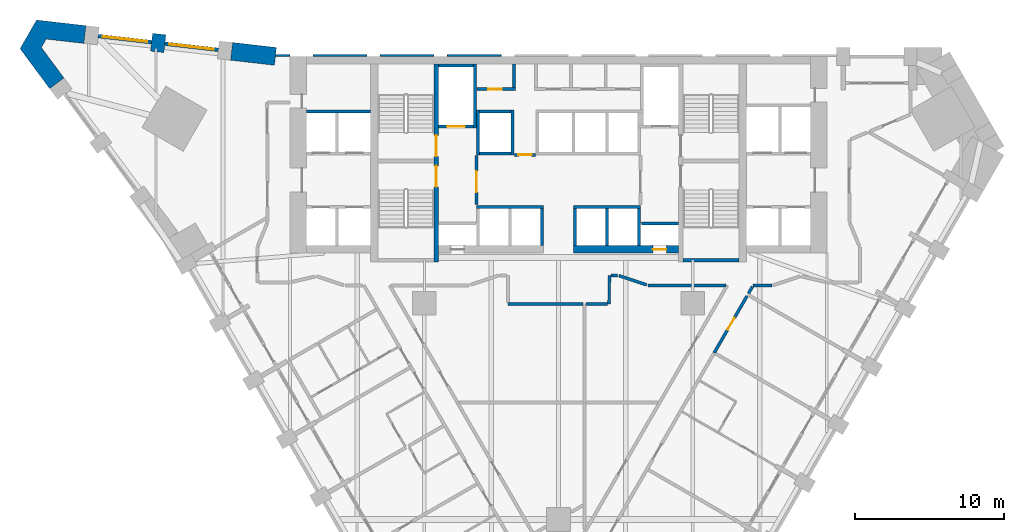
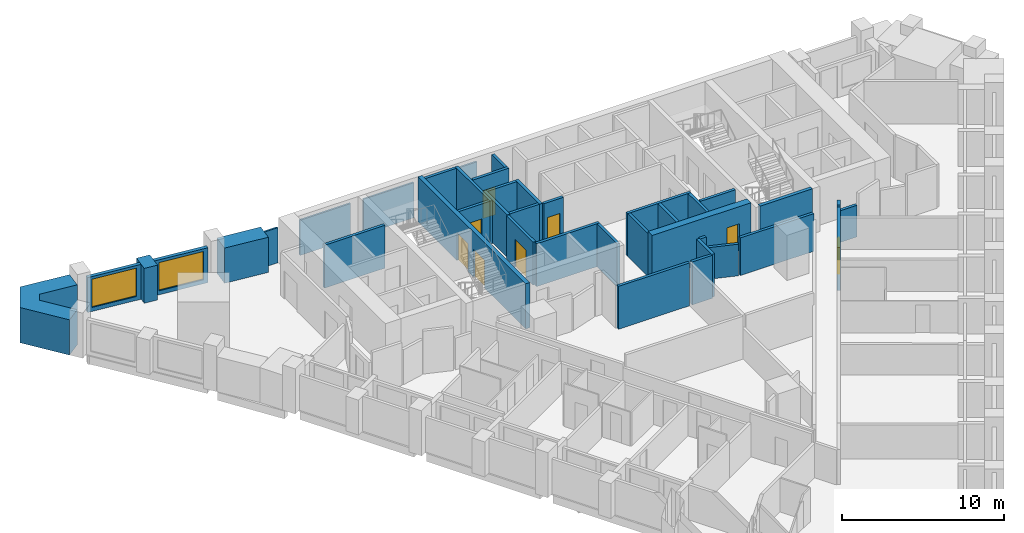
# One storey, part 7 of 11: 40 walls, 8 doors, 2 windows, 10 openings.
"""IFC4 building model written with IfcOpenShell, lengths in metres."""

import ifcopenshell
import ifcopenshell.guid

model = None  # the IFC model being written
_history = None  # IfcOwnerHistory: only IFC2X3 demands one
_inside = {}  # id of a spatial element -> (the spatial element, [elements in it])
_under = {}  # id of a project, library or spatial element -> (it, [spatial elements below it])
_declared = {}  # id of a project -> (the project, [libraries it declares])
_typed = {}  # id of a type object -> (the type object, [elements of that type])
_made_of = {}  # id of a material, layer set ... -> (it, [elements and type objects made of it])


def new_model(schema):
    """Start an empty IFC model of exactly this schema.

    Asked for "IFC4X3", IfcOpenShell would pick the latest addendum, in which some entities
    have other attributes; the version numbers below select the first issue.
    IFC2X3 requires an IfcOwnerHistory on every rooted entity: one is made here for all.
    """
    global model, _history
    if schema == "IFC4X3":
        model = ifcopenshell.file(schema_version=(4, 3, 0, 0))
    else:
        model = ifcopenshell.file(schema=schema)
    _inside.clear()
    _under.clear()
    _declared.clear()
    _typed.clear()
    _made_of.clear()
    _history = None
    if model.schema == "IFC2X3":
        org = make("IfcOrganization", Name="unknown")
        user = make(
            "IfcPersonAndOrganization",
            ThePerson=make("IfcPerson", FamilyName="unknown"),
            TheOrganization=org,
        )
        app = make(
            "IfcApplication",
            ApplicationDeveloper=org,
            Version="unknown",
            ApplicationFullName="unknown",
            ApplicationIdentifier="unknown",
        )
        _history = make(
            "IfcOwnerHistory",
            OwningUser=user,
            OwningApplication=app,
            ChangeAction="ADDED",
            CreationDate=0,
        )
    return model


def make(cls, **values):
    """One entity of the class cls with the attributes given. An attribute that is None is left unset."""
    return model.create_entity(
        cls, **{name: value for name, value in values.items() if value is not None}
    )


def rooted(cls, **values):
    """An entity with a GlobalId (a new one), such as an element, a storey or a relation."""
    return make(cls, GlobalId=ifcopenshell.guid.new(), OwnerHistory=_history, **values)


def si_unit(unit_type, name, prefix=None):
    """IfcSIUnit, for example si_unit("LENGTHUNIT", "METRE", prefix="MILLI")."""
    return make("IfcSIUnit", UnitType=unit_type, Prefix=prefix, Name=name)


def assignment(units):
    """IfcUnitAssignment: the units of a project."""
    return None if units is None else make("IfcUnitAssignment", Units=units)


def point(xyz):
    """IfcCartesianPoint."""
    return None if xyz is None else make("IfcCartesianPoint", Coordinates=xyz)


def direction(xyz):
    """IfcDirection."""
    return None if xyz is None else make("IfcDirection", DirectionRatios=xyz)


def frame(location, z_axis=None, x_axis=None):
    """IfcAxis2Placement3D, a coordinate frame: its origin and axes. An axis left out is left unset."""
    return make(
        "IfcAxis2Placement3D",
        Location=point(location),
        Axis=direction(z_axis),
        RefDirection=direction(x_axis),
    )


def frame_2d(location, x_axis=None):
    """IfcAxis2Placement2D, a coordinate frame in the plane: its origin and x axis."""
    return make(
        "IfcAxis2Placement2D", Location=point(location), RefDirection=direction(x_axis)
    )


def origin():
    """The frame at (0, 0, 0) with its axes left unset."""
    return frame((0.0, 0.0, 0.0))


def place(relative_to, where):
    """IfcLocalPlacement: puts the frame where relative to a parent placement (None: the world)."""
    return make(
        "IfcLocalPlacement", PlacementRelTo=relative_to, RelativePlacement=where
    )


def context(
    kind, dimensions, precision=None, world=None, true_north=None, identifier=None
):
    """IfcGeometricRepresentationContext, for example the 3D "Model" context."""
    return make(
        "IfcGeometricRepresentationContext",
        ContextIdentifier=identifier,
        ContextType=kind,
        CoordinateSpaceDimension=dimensions,
        Precision=precision,
        WorldCoordinateSystem=world,
        TrueNorth=true_north,
    )


def subcontext(parent, identifier, kind, view, scale=None):
    """IfcGeometricRepresentationSubContext, for example "Body" below "Model"."""
    return make(
        "IfcGeometricRepresentationSubContext",
        ContextIdentifier=identifier,
        ContextType=kind,
        ParentContext=parent,
        TargetScale=scale,
        TargetView=view,
    )


def project(units=None, contexts=None):
    """IfcProject with its units and contexts."""
    return rooted(
        "IfcProject",
        Name="project",
        RepresentationContexts=contexts,
        UnitsInContext=assignment(units),
    )


def spatial(cls, under=None, at=None, **own):
    """A site, building, storey or space (cls), placed at a placement, below another one or the project."""
    s = rooted(cls, ObjectPlacement=at, **own)
    if under is not None:
        _under.setdefault(under.id(), (under, []))[1].append(s)
    return s


def polyline(points):
    """IfcPolyline through the points."""
    return make("IfcPolyline", Points=[point(p) for p in points])


def profile(cls, at=None, kind="AREA", **sizes):
    """A parametric profile (cls). Its sizes go by their IFC names, for example OverallWidth=200.0."""
    return make(cls, ProfileType=kind, Position=at, **sizes)


def rectangle(**sizes):
    """IfcRectangleProfileDef."""
    return profile("IfcRectangleProfileDef", **sizes)


def outline(outer, holes=None, kind="AREA"):
    """IfcArbitraryClosedProfileDef: a profile drawn as a closed curve; with holes, ...WithVoids."""
    if holes is None:
        return make("IfcArbitraryClosedProfileDef", ProfileType=kind, OuterCurve=outer)
    return make(
        "IfcArbitraryProfileDefWithVoids",
        ProfileType=kind,
        OuterCurve=outer,
        InnerCurves=holes,
    )


def extrude(swept, where, along, depth):
    """IfcExtrudedAreaSolid: the profile swept, set in the frame where, extruded along a direction by depth."""
    return make(
        "IfcExtrudedAreaSolid",
        SweptArea=swept,
        Position=where,
        ExtrudedDirection=direction(along),
        Depth=depth,
    )


def shape(context_of_items, identifier, shape_type, items):
    """IfcShapeRepresentation: the items that make up one representation, for example the "Body"."""
    return make(
        "IfcShapeRepresentation",
        ContextOfItems=context_of_items,
        RepresentationIdentifier=identifier,
        RepresentationType=shape_type,
        Items=items,
    )


def material(Name=None, Category=None):
    """IfcMaterial."""
    return make("IfcMaterial", Name=Name, Category=Category)


def layer(
    of_material, thickness, ventilated=None, Name=None, Category=None, Priority=None
):
    """IfcMaterialLayer: one layer of a wall or slab, of a material (None: an air gap)."""
    return make(
        "IfcMaterialLayer",
        Material=of_material,
        LayerThickness=thickness,
        IsVentilated=ventilated,
        Name=Name,
        Category=Category,
        Priority=Priority,
    )


def layer_set(layers, Name=None):
    """IfcMaterialLayerSet."""
    return make("IfcMaterialLayerSet", MaterialLayers=layers, LayerSetName=Name)


def made_of(thing, what):
    """Note that an element or type object is made of a material, layer set ...; save() writes the relation."""
    if what is not None:
        _made_of.setdefault(what.id(), (what, []))[1].append(thing)
    return thing


def type_object(cls, material=None, **own):
    """A type object (cls), such as IfcWallType, which elements share."""
    return made_of(rooted(cls, **own), material)


def element(
    cls,
    number,
    at=None,
    inside=None,
    cuts=None,
    type_object=None,
    material=None,
    context=None,
    identifier="Body",
    shape_type=None,
    held_by="IfcProductDefinitionShape",
    body=None,
    shapes=None,
    **own,
):
    """One element of the class cls, such as IfcWall. Its Tag is "e" and its number.

    at: its placement. inside: the storey or other place that contains it. cuts: it is an
    opening in that element (IfcRelVoidsElement). A single representation is given by context,
    identifier, shape_type and body (its items); several are given by shapes. held_by: the class
    of the entity that holds the representations. save() writes the other relations.
    """
    e = rooted(cls, Tag="e%d" % number, ObjectPlacement=at, **own)
    if body is not None:
        shapes = [shape(context, identifier, shape_type, body)]
    if shapes is not None:
        e.Representation = make(held_by, Representations=shapes)
    if inside is not None:
        _inside.setdefault(inside.id(), (inside, []))[1].append(e)
    if cuts is not None:
        rooted(
            "IfcRelVoidsElement", RelatingBuildingElement=cuts, RelatedOpeningElement=e
        )
    if type_object is not None:
        _typed.setdefault(type_object.id(), (type_object, []))[1].append(e)
    return made_of(e, material)


def fill(opening, filler):
    """IfcRelFillsElement: the door or window that sits in an opening."""
    return rooted(
        "IfcRelFillsElement",
        RelatingOpeningElement=opening,
        RelatedBuildingElement=filler,
    )


def aggregate(whole, parts):
    """IfcRelAggregates: a whole, such as a stair, and the parts it consists of."""
    return rooted("IfcRelAggregates", RelatingObject=whole, RelatedObjects=parts)


def save(model, path):
    """Write the relations noted so far, then the file.

    IfcRelAggregates (storeys below a building ...), IfcRelContainedInSpatialStructure (elements
    in a storey), IfcRelDefinesByType, IfcRelAssociatesMaterial and IfcRelDeclares: one each for
    every whole, place, type object, material and project.
    """
    for whole, parts in _under.values():
        aggregate(whole, parts)
    for where, things in _inside.values():
        rooted(
            "IfcRelContainedInSpatialStructure",
            RelatedElements=things,
            RelatingStructure=where,
        )
    for kind, things in _typed.values():
        rooted("IfcRelDefinesByType", RelatedObjects=things, RelatingType=kind)
    for what, things in _made_of.values():
        rooted("IfcRelAssociatesMaterial", RelatedObjects=things, RelatingMaterial=what)
    for by, libraries in _declared.values():
        rooted("IfcRelDeclares", RelatingContext=by, RelatedDefinitions=libraries)
    model.write(path)


model = new_model("IFC4")

# Units and contexts
model_context = context("Model", 3, precision=1e-05, world=origin(), true_north=direction((0.0, 1.0)))
body_context = subcontext(model_context, "Body", "Model", "MODEL_VIEW")
ifc_project = project(units=[si_unit("LENGTHUNIT", "METRE"), si_unit("AREAUNIT", "SQUARE_METRE"), si_unit("VOLUMEUNIT", "CUBIC_METRE"), si_unit("PLANEANGLEUNIT", "RADIAN"), si_unit("MASSUNIT", "GRAM", prefix="KILO")], contexts=[model_context])

# Site, building, storey
site_placement = place(None, origin())
site = spatial("IfcSite", under=ifc_project, at=site_placement, CompositionType="ELEMENT")
building_placement = place(site_placement, origin())
building = spatial("IfcBuilding", under=site, at=building_placement, Name="Calabash Gate Tower", CompositionType="ELEMENT")
storey_placement = place(building_placement, frame((0.0, 0.0, 49.39990234375)))
storey = spatial("IfcBuildingStorey", under=building, at=storey_placement, Name="L07", CompositionType="ELEMENT", Elevation=49.39990234375)

# Walls
ifc_material_1 = material(Name="Terracotta brick masonry, exposed face", Category="masonry")
ifc_layer_1 = layer(ifc_material_1, 1.199951171875)
ifc_layer_set_1 = layer_set([ifc_layer_1], Name="Brick end wall 1200")
wall_type_1 = type_object("IfcWallType", Name="Brick end wall 1200", PredefinedType="SOLIDWALL", material=ifc_layer_set_1)
wall_1_placement = place(storey_placement, frame((-26.90625, 19.35400390625, 0.0), z_axis=(0.0, 0.0, 1.0), x_axis=(0.113936776845, 0.993488002385, 0.0)))
element("IfcWall", 1, at=wall_1_placement, inside=storey, type_object=wall_type_1, Name="Brick pier S01 wedge5.1", PredefinedType="SOLIDWALL", context=body_context, shape_type="SweptSolid", body=[
    extrude(rectangle(XDim=1.199951171875, YDim=0.89990234375, at=frame_2d((0.60009765625, 0.0))), origin(), (0.0, 0.0, 1.0), 2.630126953125),
])
wall_2_placement = place(storey_placement, frame((-21.919921875, 19.386962890625, 0.0), z_axis=(0.0, 0.0, 1.0), x_axis=(0.993507634887, -0.113765457942, 0.0)))
element("IfcWall", 2, at=wall_2_placement, inside=storey, type_object=wall_type_1, Name="Brick end wall S01 1", PredefinedType="SOLIDWALL", context=body_context, shape_type="SweptSolid", body=[
    extrude(rectangle(XDim=2.957275390625, YDim=1.199951171875, at=frame_2d((1.478515625, 0.0))), origin(), (0.0, 0.0, 1.0), 2.650146484375),
])
wall_3_placement = place(storey_placement, origin())
element("IfcWall", 3, at=wall_3_placement, inside=storey, type_object=wall_type_1, Name="Brick end wall S01 2", PredefinedType="SOLIDWALL", context=body_context, shape_type="SweptSolid", body=[
    extrude(outline(polyline([(-31.687744140625, 21.109375), (-34.99853515625, 21.48876953125), (-36.109130859375, 19.5654296875), (-34.125, 16.887451171875), (-33.160888671875, 17.601806640625), (-34.67626953125, 19.647216796875), (-34.35302734375, 20.206787109375), (-31.82421875, 19.917236328125), (-31.687744140625, 21.109375)])), origin(), (0.0, 0.0, 1.0), 2.650146484375),
])
ifc_material_2 = material(Name="Gypsum board on steel studs, mineral wool", Category="steel")
ifc_layer_2 = layer(ifc_material_2, 0.199951171875)
ifc_layer_set_2 = layer_set([ifc_layer_2], Name="Core partition 200 gypsum board")
wall_type_2 = type_object("IfcWallType", Name="Core partition 200 gypsum board", PredefinedType="PARTITIONING", material=ifc_layer_set_2)
wall_4_placement = place(storey_placement, frame((-3.0, 16.95263671875, 0.0), z_axis=(0.0, 0.0, 1.0), x_axis=(0.0, 1.0, 0.0)))
element("IfcWall", 4, at=wall_4_placement, inside=storey, type_object=wall_type_2, Name="Core partition", PredefinedType="PARTITIONING", context=body_context, shape_type="SweptSolid", body=[
    extrude(rectangle(XDim=1.599853515625, YDim=0.199951171875, at=frame_2d((0.7998046875, 0.0))), origin(), (0.0, 0.0, 1.0), 3.22998046875),
])
ifc_material_3 = material(Name="Concrete C80/95", Category="concrete")
ifc_layer_3 = layer(ifc_material_3, 0.25)
ifc_layer_set_3 = layer_set([ifc_layer_3], Name="Core wall 250 Concrete C80/95")
wall_type_3 = type_object("IfcWallType", Name="Core wall 250 Concrete C80/95", PredefinedType="SHEAR", material=ifc_layer_set_3)
wall_5_placement = place(storey_placement, frame((8.35009765625, 5.377685546875, 0.0), z_axis=(0.0, 0.0, 1.0), x_axis=(1.0, 0.0, 0.0)))
element("IfcWall", 5, at=wall_5_placement, inside=storey, type_object=wall_type_3, Name="Core wall Z1-SSE L07", PredefinedType="SHEAR", context=body_context, shape_type="SweptSolid", body=[
    extrude(rectangle(XDim=3.75, YDim=0.25, at=frame_2d((1.875, 0.0))), origin(), (0.0, 0.0, 1.0), 3.400146484375),
])

# Wall, openings, doors
ifc_material_4 = material(Name="Concrete C80/95", Category="concrete")
ifc_layer_4 = layer(ifc_material_4, 0.300048828125)
ifc_layer_set_4 = layer_set([ifc_layer_4], Name="Core wall 300 Concrete C80/95")
wall_type_4 = type_object("IfcWallType", Name="Core wall 300 Concrete C80/95", PredefinedType="SHEAR", material=ifc_layer_set_4)
wall_6_placement = place(storey_placement, frame((-8.199951171875, 5.252685546875, 0.0), z_axis=(0.0, 0.0, 1.0), x_axis=(0.0, 1.0, 0.0)))
wall_6 = element("IfcWall", 6, at=wall_6_placement, inside=storey, type_object=wall_type_4, Name="Core wall Z1-PARTW L07", PredefinedType="SHEAR", context=body_context, shape_type="SweptSolid", body=[
    extrude(rectangle(XDim=13.2998046875, YDim=0.300048828125, at=frame_2d((6.64990234375, 0.0))), origin(), (0.0, 0.0, 1.0), 3.400146484375),
])
opening_1_placement = place(wall_6_placement, frame((7.10009765625, 0.0, 0.0)))
opening_1 = element("IfcOpeningElement", 7, at=opening_1_placement, cuts=wall_6, Name="Opening H1-014", PredefinedType="OPENING", context=body_context, shape_type="SweptSolid", body=[
    extrude(rectangle(XDim=1.39990234375, YDim=2.10009765625, at=frame_2d((0.699951171875, 1.050048828125))), frame((0.0, 0.159912109375, 0.0), z_axis=(0.0, -1.0, 0.0), x_axis=(1.0, 0.0, 0.0)), (0.0, 0.0, 1.0), 0.320068359375),
])
opening_2_placement = place(wall_6_placement, frame((5.050048828125, 0.0, 0.0)))
opening_2 = element("IfcOpeningElement", 8, at=opening_2_placement, cuts=wall_6, Name="Opening H1-015", PredefinedType="OPENING", context=body_context, shape_type="SweptSolid", body=[
    extrude(rectangle(XDim=1.39990234375, YDim=2.10009765625, at=frame_2d((0.699951171875, 1.050048828125))), frame((0.0, 0.159912109375, 0.0), z_axis=(0.0, -1.0, 0.0), x_axis=(1.0, 0.0, 0.0)), (0.0, 0.0, 1.0), 0.320068359375),
])
ifc_material_5 = material(Name="Steel fire door set with fire-resisting glazing", Category="steel")
door_type_1 = type_object("IfcDoorType", Name="Fire door D05 1400x2100 FD90", OperationType="NOTDEFINED", PredefinedType="DOOR", material=ifc_material_5)
door_1_placement = place(opening_1_placement, origin())
door_1 = element("IfcDoor", 9, at=door_1_placement, inside=storey, type_object=door_type_1, Name="Exit stair door ST1", OperationType="SINGLE_SWING_LEFT", OverallHeight=2.10009765625, OverallWidth=1.39990234375, PredefinedType="DOOR", context=body_context, shape_type="SweptSolid", body=[
    extrude(rectangle(XDim=1.39990234375, YDim=2.10009765625, at=frame_2d((0.699951171875, 1.050048828125))), frame((0.0, 0.02490234375, 0.0), z_axis=(0.0, -1.0, 0.0), x_axis=(1.0, 0.0, 0.0)), (0.0, 0.0, 1.0), 0.050048828125),
])
fill(opening_1, door_1)
door_2_placement = place(opening_2_placement, origin())
door_2 = element("IfcDoor", 10, at=door_2_placement, inside=storey, type_object=door_type_1, Name="Exit stair door ST2", OperationType="SINGLE_SWING_LEFT", OverallHeight=2.10009765625, OverallWidth=1.39990234375, PredefinedType="DOOR", context=body_context, shape_type="SweptSolid", body=[
    extrude(rectangle(XDim=1.39990234375, YDim=2.10009765625, at=frame_2d((0.699951171875, 1.050048828125))), frame((0.0, 0.02490234375, 0.0), z_axis=(0.0, -1.0, 0.0), x_axis=(1.0, 0.0, 0.0)), (0.0, 0.0, 1.0), 0.050048828125),
])
fill(opening_2, door_2)

# Wall, opening, door
ifc_material_6 = material(Name="Concrete C80/95", Category="concrete")
ifc_layer_5 = layer(ifc_material_6, 0.5)
ifc_layer_set_5 = layer_set([ifc_layer_5], Name="Core wall 500 Concrete C80/95")
wall_type_5 = type_object("IfcWallType", Name="Core wall 500 Concrete C80/95", PredefinedType="SHEAR", material=ifc_layer_set_5)
wall_7_placement = place(storey_placement, frame((1.0, 6.1025390625, 0.0), z_axis=(0.0, 0.0, 1.0), x_axis=(1.0, 0.0, 0.0)))
wall_7 = element("IfcWall", 11, at=wall_7_placement, inside=storey, type_object=wall_type_5, Name="Core wall Z1-SB L07", PredefinedType="SHEAR", context=body_context, shape_type="SweptSolid", body=[
    extrude(rectangle(XDim=7.050048828125, YDim=0.5, at=frame_2d((3.52490234375, 0.0))), origin(), (0.0, 0.0, 1.0), 3.400146484375),
])
opening_3_placement = place(wall_7_placement, frame((5.324951171875, 0.0, 0.0)))
opening_3 = element("IfcOpeningElement", 12, at=opening_3_placement, cuts=wall_7, Name="Opening H1-012", PredefinedType="OPENING", context=body_context, shape_type="SweptSolid", body=[
    extrude(rectangle(XDim=0.89990234375, YDim=2.10009765625, at=frame_2d((0.449951171875, 1.050048828125))), frame((0.0, 0.260009765625, 0.0), z_axis=(0.0, -1.0, 0.0), x_axis=(1.0, 0.0, 0.0)), (0.0, 0.0, 1.0), 0.52001953125),
])
ifc_material_7 = material(Name="Steel fire door set with fire-resisting glazing", Category="steel")
door_type_2 = type_object("IfcDoorType", Name="Fire door D07 900x2100 FD90", OperationType="NOTDEFINED", PredefinedType="DOOR", material=ifc_material_7)
door_3_placement = place(opening_3_placement, origin())
door_3 = element("IfcDoor", 13, at=door_3_placement, inside=storey, type_object=door_type_2, Name="Mechanical Riser E door", OperationType="SINGLE_SWING_RIGHT", OverallHeight=2.10009765625, OverallWidth=0.89990234375, PredefinedType="DOOR", context=body_context, shape_type="SweptSolid", body=[
    extrude(rectangle(XDim=0.89990234375, YDim=2.10009765625, at=frame_2d((0.449951171875, 1.050048828125))), frame((0.0, 0.02490234375, 0.0), z_axis=(0.0, -1.0, 0.0), x_axis=(1.0, 0.0, 0.0)), (0.0, 0.0, 1.0), 0.050048828125),
])
fill(opening_3, door_3)

# Walls
ifc_material_8 = material(Name="Gypsum board on steel studs, mineral wool", Category="steel")
ifc_layer_6 = layer(ifc_material_8, 0.199951171875)
ifc_layer_set_6 = layer_set([ifc_layer_6], Name="Partition 200 gypsum board EI 60")
wall_type_6 = type_object("IfcWallType", Name="Partition 200 gypsum board EI 60", PredefinedType="PARTITIONING", material=ifc_layer_set_6)
wall_8_placement = place(storey_placement, frame((-3.400146484375, 2.452392578125, 0.0), z_axis=(0.0, 0.0, 1.0), x_axis=(0.99999994274, -0.000338409456, 0.0)))
element("IfcWall", 14, at=wall_8_placement, inside=storey, type_object=wall_type_6, Name="Partition", PredefinedType="PARTITIONING", context=body_context, shape_type="SweptSolid", body=[
    extrude(rectangle(XDim=5.050048828125, YDim=0.199951171875, at=frame_2d((2.52490234375, 0.0))), origin(), (0.0, 0.0, 1.0), 3.22998046875),
])
wall_9_placement = place(storey_placement, frame((1.85009765625, 2.45068359375, 0.0), z_axis=(0.0, 0.0, 1.0), x_axis=(0.999999305627, 0.00117845036, 0.0)))
element("IfcWall", 15, at=wall_9_placement, inside=storey, type_object=wall_type_6, Name="Partition", PredefinedType="PARTITIONING", context=body_context, shape_type="SweptSolid", body=[
    extrude(rectangle(XDim=1.4501953125, YDim=0.199951171875, at=frame_2d((0.72509765625, 0.0))), origin(), (0.0, 0.0, 1.0), 3.22998046875),
])

# Wall, opening, door
wall_10_placement = place(storey_placement, frame((10.43896484375, -0.828369140625, 0.0), z_axis=(0.0, 0.0, 1.0), x_axis=(0.500013981145, 0.866017331616, 0.0)))
wall_10 = element("IfcWall", 16, at=wall_10_placement, inside=storey, type_object=wall_type_6, Name="Partition", PredefinedType="PARTITIONING", context=body_context, shape_type="SweptSolid", body=[
    extrude(rectangle(XDim=4.397705078125, YDim=0.199951171875, at=frame_2d((2.19873046875, 0.0))), origin(), (0.0, 0.0, 1.0), 3.22998046875),
])
opening_4_placement = place(wall_10_placement, frame((1.798095703125, 0.0, 0.0)))
opening_4 = element("IfcOpeningElement", 17, at=opening_4_placement, cuts=wall_10, Name="Opening 06-08-013", PredefinedType="OPENING", context=body_context, shape_type="SweptSolid", body=[
    extrude(rectangle(XDim=0.89990234375, YDim=2.10009765625, at=frame_2d((0.449951171875, 1.050048828125))), frame((0.0, 0.10986328125, 0.0), z_axis=(0.0, -1.0, 0.0), x_axis=(1.0, 0.0, 0.0)), (0.0, 0.0, 1.0), 0.219970703125),
])
ifc_material_9 = material(Name="Steel fire door set with fire-resisting glazing", Category="steel")
door_type_3 = type_object("IfcDoorType", Name="SD3 Store door 900x2100", OperationType="NOTDEFINED", PredefinedType="DOOR", material=ifc_material_9)
door_4_placement = place(opening_4_placement, origin())
door_4 = element("IfcDoor", 18, at=door_4_placement, inside=storey, type_object=door_type_3, Name="Store door", OperationType="SINGLE_SWING_LEFT", OverallHeight=2.10009765625, OverallWidth=0.89990234375, PredefinedType="DOOR", context=body_context, shape_type="SweptSolid", body=[
    extrude(rectangle(XDim=0.89990234375, YDim=2.10009765625, at=frame_2d((0.449951171875, 1.050048828125))), frame((0.0, 0.02490234375, 0.0), z_axis=(0.0, -1.0, 0.0), x_axis=(1.0, 0.0, 0.0)), (0.0, 0.0, 1.0), 0.050048828125),
])
fill(opening_4, door_4)

# Walls
wall_11_placement = place(storey_placement, frame((12.738037109375, 3.154052734375, 0.0), z_axis=(0.0, 0.0, 1.0), x_axis=(0.497976793054, 0.867190356023, 0.0)))
element("IfcWall", 19, at=wall_11_placement, inside=storey, type_object=wall_type_6, Name="Partition", PredefinedType="PARTITIONING", context=body_context, shape_type="SweptSolid", body=[
    extrude(rectangle(XDim=0.529052734375, YDim=0.199951171875, at=frame_2d((0.2646484375, 0.0))), origin(), (0.0, 0.0, 1.0), 3.22998046875),
])
wall_12_placement = place(storey_placement, frame((6.0, 3.69970703125, 0.0), z_axis=(0.0, 0.0, 1.0), x_axis=(1.0, 0.0, 0.0)))
element("IfcWall", 20, at=wall_12_placement, inside=storey, type_object=wall_type_6, Name="Partition", PredefinedType="PARTITIONING", context=body_context, shape_type="SweptSolid", body=[
    extrude(rectangle(XDim=5.21875, YDim=0.199951171875, at=frame_2d((2.609375, 0.0))), origin(), (0.0, 0.0, 1.0), 2.831787109375),
])
wall_13_placement = place(storey_placement, frame((13.051513671875, 3.699462890625, 0.0), z_axis=(0.0, 0.0, 1.0), x_axis=(1.0, 0.0, 0.0)))
element("IfcWall", 21, at=wall_13_placement, inside=storey, type_object=wall_type_6, Name="Partition", PredefinedType="PARTITIONING", context=body_context, shape_type="SweptSolid", body=[
    extrude(rectangle(XDim=1.24853515625, YDim=0.199951171875, at=frame_2d((0.624267578125, 0.0))), origin(), (0.0, 0.0, 1.0), 2.38427734375),
])
wall_14_placement = place(storey_placement, frame((4.042236328125, 4.352294921875, 0.0), z_axis=(0.0, 0.0, 1.0), x_axis=(0.948695731075, -0.316190464499, 0.0)))
element("IfcWall", 22, at=wall_14_placement, inside=storey, type_object=wall_type_6, Name="Partition", PredefinedType="PARTITIONING", context=body_context, shape_type="SweptSolid", body=[
    extrude(rectangle(XDim=1.963623046875, YDim=0.199951171875, at=frame_2d((0.98193359375, 0.0))), origin(), (0.0, 0.0, 1.0), 2.38427734375),
])
wall_15_placement = place(storey_placement, frame((3.400146484375, 2.452392578125, 0.0), z_axis=(0.0, 0.0, 1.0), x_axis=(0.001028938362, 0.999999470643, 0.0)))
element("IfcWall", 23, at=wall_15_placement, inside=storey, type_object=wall_type_6, Name="Partition", PredefinedType="PARTITIONING", context=body_context, shape_type="SweptSolid", body=[
    extrude(rectangle(XDim=1.898193359375, YDim=0.199951171875, at=frame_2d((0.94921875, 0.0))), origin(), (0.0, 0.0, 1.0), 3.22998046875),
])
wall_16_placement = place(storey_placement, frame((3.501953125, 4.350830078125, 0.0), z_axis=(0.0, 0.0, 1.0), x_axis=(0.999996159087, 0.00277160798, 0.0)))
element("IfcWall", 24, at=wall_16_placement, inside=storey, type_object=wall_type_6, Name="Partition", PredefinedType="PARTITIONING", context=body_context, shape_type="SweptSolid", body=[
    extrude(rectangle(XDim=0.4404296875, YDim=0.199951171875, at=frame_2d((0.22021484375, 0.0))), origin(), (0.0, 0.0, 1.0), 3.22998046875),
])

# Wall, opening, window
ifc_material_10 = material(Name="Aluminium framed window wall with insulated spandrel", Category="aluminium")
ifc_layer_7 = layer(ifc_material_10, 0.25)
ifc_layer_set_7 = layer_set([ifc_layer_7], Name="Prow window wall 250")
wall_type_7 = type_object("IfcWallType", Name="Prow window wall 250", PredefinedType="ELEMENTEDWALL", material=ifc_layer_set_7)
wall_17_placement = place(storey_placement, frame((-22.814208984375, 19.4892578125, 0.0), z_axis=(0.0, 0.0, 1.0), x_axis=(-0.993504225498, 0.113795228013, 0.0)))
wall_17 = element("IfcWall", 25, at=wall_17_placement, inside=storey, type_object=wall_type_7, Name="Prow window wall S01 wedge5.1", PredefinedType="ELEMENTEDWALL", context=body_context, shape_type="SweptSolid", body=[
    extrude(rectangle(XDim=3.60009765625, YDim=0.25, at=frame_2d((1.800048828125, 0.0))), origin(), (0.0, 0.0, 1.0), 2.630126953125),
])
opening_5_placement = place(wall_17_placement, frame((0.300048828125, 0.0, 0.300048828125)))
opening_5 = element("IfcOpeningElement", 26, at=opening_5_placement, cuts=wall_17, Name="Opening WP1L-2130", PredefinedType="OPENING", context=body_context, shape_type="SweptSolid", body=[
    extrude(rectangle(XDim=3.0, YDim=2.1298828125, at=frame_2d((1.5, 1.06494140625))), frame((0.0, 0.135009765625, 0.0), z_axis=(0.0, -1.0, 0.0), x_axis=(1.0, 0.0, 0.0)), (0.0, 0.0, 1.0), 0.27001953125),
])
ifc_material_11 = material(Name="Anodised aluminium frame, bronze finish, impact-rated laminated clear glazing", Category="aluminium")
window_type = type_object("IfcWindowType", Name="Window WP1L 3000x2130", PartitioningType="DOUBLE_PANEL_VERTICAL", PredefinedType="WINDOW", material=ifc_material_11)
window_1_placement = place(opening_5_placement, origin())
window_1 = element("IfcWindow", 27, at=window_1_placement, inside=storey, type_object=window_type, Name="Prow window WP1L S01 wedge5.1", OverallHeight=2.1298828125, OverallWidth=3.0, PartitioningType="SINGLE_PANEL", PredefinedType="WINDOW", context=body_context, shape_type="SweptSolid", body=[
    extrude(rectangle(XDim=3.0, YDim=2.1298828125, at=frame_2d((1.5, 1.06494140625))), frame((0.0, 0.030029296875, 0.0), z_axis=(0.0, -1.0, 0.0), x_axis=(1.0, 0.0, 0.0)), (0.0, 0.0, 1.0), 0.06005859375),
])
fill(opening_5, window_1)

wall_18_placement = place(storey_placement, frame((-27.284912109375, 20.00146484375, 0.0), z_axis=(0.0, 0.0, 1.0), x_axis=(-0.993511890309, 0.113728289423, 0.0)))
wall_18 = element("IfcWall", 28, at=wall_18_placement, inside=storey, type_object=wall_type_7, Name="Prow window wall S01 wedge5.2", PredefinedType="ELEMENTEDWALL", context=body_context, shape_type="SweptSolid", body=[
    extrude(rectangle(XDim=3.60009765625, YDim=0.25, at=frame_2d((1.800048828125, 0.0))), origin(), (0.0, 0.0, 1.0), 2.630126953125),
])
opening_6_placement = place(wall_18_placement, frame((0.300048828125, 0.0, 0.300048828125)))
opening_6 = element("IfcOpeningElement", 29, at=opening_6_placement, cuts=wall_18, Name="Opening WP1L-2130", PredefinedType="OPENING", context=body_context, shape_type="SweptSolid", body=[
    extrude(rectangle(XDim=3.0, YDim=2.1298828125, at=frame_2d((1.5, 1.06494140625))), frame((0.0, 0.135009765625, 0.0), z_axis=(0.0, -1.0, 0.0), x_axis=(1.0, 0.0, 0.0)), (0.0, 0.0, 1.0), 0.27001953125),
])
window_2_placement = place(opening_6_placement, origin())
window_2 = element("IfcWindow", 30, at=window_2_placement, inside=storey, type_object=window_type, Name="Prow window WP1L S01 wedge5.2", OverallHeight=2.1298828125, OverallWidth=3.0, PartitioningType="SINGLE_PANEL", PredefinedType="WINDOW", context=body_context, shape_type="SweptSolid", body=[
    extrude(rectangle(XDim=3.0, YDim=2.1298828125, at=frame_2d((1.5, 1.06494140625))), frame((0.0, 0.030029296875, 0.0), z_axis=(0.0, -1.0, 0.0), x_axis=(1.0, 0.0, 0.0)), (0.0, 0.0, 1.0), 0.06005859375),
])
fill(opening_6, window_2)

# Walls
ifc_material_12 = material(Name="Concrete C40/50", Category="concrete")
ifc_layer_8 = layer(ifc_material_12, 0.199951171875)
ifc_layer_set_8 = layer_set([ifc_layer_8], Name="Shaft wall 200 Concrete C40/50")
wall_type_8 = type_object("IfcWallType", Name="Shaft wall 200 Concrete C40/50", PredefinedType="SOLIDWALL", material=ifc_layer_set_8)
for number, where, z_axis, x_axis, name in (
    (31, (-1.10009765625, 6.3525390625, 0.0), (0.0, 0.0, 1.0), (0.0, 1.0, 0.0), "Shaft wall"),
    (32, (1.10009765625, 6.3525390625, 0.0), (0.0, 0.0, 1.0), (0.0, 1.0, 0.0), "Shaft wall"),
    (33, (3.25, 6.3525390625, 0.0), (0.0, 0.0, 1.0), (0.0, 1.0, 0.0), "Shaft wall"),
    (34, (5.39990234375, 6.3525390625, 0.0), (0.0, 0.0, 1.0), (0.0, 1.0, 0.0), "Shaft wall"),
    (35, (5.550048828125, 7.8525390625, 0.0), (0.0, 0.0, 1.0), (1.0, 0.0, 0.0), "Shaft wall"),
):
    element("IfcWall", number, at=place(storey_placement, frame(where, z_axis=z_axis, x_axis=x_axis)), inside=storey, type_object=wall_type_8, Name=name, PredefinedType="SOLIDWALL", context=body_context, shape_type="SweptSolid", body=[
        extrude(rectangle(XDim=2.5, YDim=0.199951171875, at=frame_2d((1.25, 0.0))), origin(), (0.0, 0.0, 1.0), 3.22998046875),
    ])
for number, where, z_axis, x_axis, name in (
    (36, (-5.5, 8.95263671875, 0.0), (0.0, 0.0, 1.0), (1.0, 0.0, 0.0), "Shaft wall"),
    (37, (1.0, 8.95263671875, 0.0), (0.0, 0.0, 1.0), (1.0, 0.0, 0.0), "Shaft wall"),
):
    element("IfcWall", number, at=place(storey_placement, frame(where, z_axis=z_axis, x_axis=x_axis)), inside=storey, type_object=wall_type_8, Name=name, PredefinedType="SOLIDWALL", context=body_context, shape_type="SweptSolid", body=[
        extrude(rectangle(XDim=4.5, YDim=0.199951171875, at=frame_2d((2.25, 0.0))), origin(), (0.0, 0.0, 1.0), 3.22998046875),
    ])

# Wall, opening, door
wall_19_placement = place(storey_placement, frame((-5.5, 9.1025390625, 0.0), z_axis=(0.0, 0.0, 1.0), x_axis=(0.0, 1.0, 0.0)))
wall_19 = element("IfcWall", 38, at=wall_19_placement, inside=storey, type_object=wall_type_8, Name="Shaft wall", PredefinedType="SOLIDWALL", context=body_context, shape_type="SweptSolid", body=[
    extrude(rectangle(XDim=3.300048828125, YDim=0.199951171875, at=frame_2d((1.64990234375, 0.0))), origin(), (0.0, 0.0, 1.0), 3.22998046875),
])
opening_7_placement = place(wall_19_placement, frame((0.85009765625, 0.0, 0.0)))
opening_7 = element("IfcOpeningElement", 39, at=opening_7_placement, cuts=wall_19, Name="Opening H1-007", PredefinedType="OPENING", context=body_context, shape_type="SweptSolid", body=[
    extrude(rectangle(XDim=1.39990234375, YDim=2.10009765625, at=frame_2d((0.699951171875, 1.050048828125))), frame((0.0, 0.10986328125, 0.0), z_axis=(0.0, -1.0, 0.0), x_axis=(1.0, 0.0, 0.0)), (0.0, 0.0, 1.0), 0.219970703125),
])
door_5_placement = place(opening_7_placement, origin())
door_5 = element("IfcDoor", 40, at=door_5_placement, inside=storey, type_object=door_type_1, Name="Firefighting Lobby W door", OperationType="SINGLE_SWING_RIGHT", OverallHeight=2.10009765625, OverallWidth=1.39990234375, PredefinedType="DOOR", context=body_context, shape_type="SweptSolid", body=[
    extrude(rectangle(XDim=1.39990234375, YDim=2.10009765625, at=frame_2d((0.699951171875, 1.050048828125))), frame((0.0, 0.02490234375, 0.0), z_axis=(0.0, -1.0, 0.0), x_axis=(1.0, 0.0, 0.0)), (0.0, 0.0, 1.0), 0.050048828125),
])
fill(opening_7, door_5)

wall_20_placement = place(storey_placement, frame((-2.949951171875, 12.45263671875, 0.0), z_axis=(0.0, 0.0, 1.0), x_axis=(1.0, 0.0, 0.0)))
wall_20 = element("IfcWall", 41, at=wall_20_placement, inside=storey, type_object=wall_type_8, Name="Shaft wall", PredefinedType="SOLIDWALL", context=body_context, shape_type="SweptSolid", body=[
    extrude(rectangle(XDim=1.39990234375, YDim=0.199951171875, at=frame_2d((0.699951171875, 0.0))), origin(), (0.0, 0.0, 1.0), 3.22998046875),
])
opening_8_placement = place(wall_20_placement, frame((0.25, 0.0, 0.0)))
opening_8 = element("IfcOpeningElement", 42, at=opening_8_placement, cuts=wall_20, Name="Opening H1-005", PredefinedType="OPENING", context=body_context, shape_type="SweptSolid", body=[
    extrude(rectangle(XDim=0.89990234375, YDim=2.10009765625, at=frame_2d((0.449951171875, 1.050048828125))), frame((0.0, 0.10986328125, 0.0), z_axis=(0.0, -1.0, 0.0), x_axis=(1.0, 0.0, 0.0)), (0.0, 0.0, 1.0), 0.219970703125),
])
ifc_material_13 = material(Name="Steel fire door set with fire-resisting glazing", Category="steel")
door_type_4 = type_object("IfcDoorType", Name="Fire door D06 900x2100 FD60", OperationType="NOTDEFINED", PredefinedType="DOOR", material=ifc_material_13)
door_6_placement = place(opening_8_placement, origin())
door_6 = element("IfcDoor", 43, at=door_6_placement, inside=storey, type_object=door_type_4, Name="Service Corridor door", OperationType="SINGLE_SWING_RIGHT", OverallHeight=2.10009765625, OverallWidth=0.89990234375, PredefinedType="DOOR", context=body_context, shape_type="SweptSolid", body=[
    extrude(rectangle(XDim=0.89990234375, YDim=2.10009765625, at=frame_2d((0.449951171875, 1.050048828125))), frame((0.0, 0.02490234375, 0.0), z_axis=(0.0, -1.0, 0.0), x_axis=(1.0, 0.0, 0.0)), (0.0, 0.0, 1.0), 0.050048828125),
])
fill(opening_8, door_6)

# Walls
wall_21_placement = place(storey_placement, frame((-5.39990234375, 12.45263671875, 0.0), z_axis=(0.0, 0.0, 1.0), x_axis=(0.0, 1.0, 0.0)))
element("IfcWall", 44, at=wall_21_placement, inside=storey, type_object=wall_type_8, Name="Shaft wall", PredefinedType="SOLIDWALL", context=body_context, shape_type="SweptSolid", body=[
    extrude(rectangle(XDim=3.0, YDim=0.199951171875, at=frame_2d((1.5, 0.0))), origin(), (0.0, 0.0, 1.0), 3.22998046875),
])
wall_22_placement = place(storey_placement, frame((-5.300048828125, 12.552490234375, 0.0), z_axis=(0.0, 0.0, 1.0), x_axis=(1.0, 0.0, 0.0)))
element("IfcWall", 45, at=wall_22_placement, inside=storey, type_object=wall_type_8, Name="Shaft wall", PredefinedType="SOLIDWALL", context=body_context, shape_type="SweptSolid", body=[
    extrude(rectangle(XDim=2.10009765625, YDim=0.199951171875, at=frame_2d((1.050048828125, 0.0))), origin(), (0.0, 0.0, 1.0), 3.22998046875),
])
wall_23_placement = place(storey_placement, frame((-3.10009765625, 12.45263671875, 0.0), z_axis=(0.0, 0.0, 1.0), x_axis=(0.0, 1.0, 0.0)))
element("IfcWall", 46, at=wall_23_placement, inside=storey, type_object=wall_type_8, Name="Shaft wall", PredefinedType="SOLIDWALL", context=body_context, shape_type="SweptSolid", body=[
    extrude(rectangle(XDim=3.0, YDim=0.199951171875, at=frame_2d((1.5, 0.0))), origin(), (0.0, 0.0, 1.0), 3.22998046875),
])

# Wall, opening, door
wall_24_placement = place(storey_placement, frame((-8.050048828125, 14.3525390625, 0.0), z_axis=(0.0, 0.0, 1.0), x_axis=(1.0, 0.0, 0.0)))
wall_24 = element("IfcWall", 47, at=wall_24_placement, inside=storey, type_object=wall_type_8, Name="Shaft wall", PredefinedType="SOLIDWALL", context=body_context, shape_type="SweptSolid", body=[
    extrude(rectangle(XDim=2.35009765625, YDim=0.199951171875, at=frame_2d((1.175048828125, 0.0))), origin(), (0.0, 0.0, 1.0), 3.22998046875),
])
opening_9_placement = place(wall_24_placement, frame((0.574951171875, 0.0, 0.0)))
opening_9 = element("IfcOpeningElement", 48, at=opening_9_placement, cuts=wall_24, Name="Opening LD-FF1", PredefinedType="OPENING", context=body_context, shape_type="SweptSolid", body=[
    extrude(rectangle(XDim=1.199951171875, YDim=2.10009765625, at=frame_2d((0.60009765625, 1.050048828125))), frame((0.0, 0.10986328125, 0.0), z_axis=(0.0, -1.0, 0.0), x_axis=(1.0, 0.0, 0.0)), (0.0, 0.0, 1.0), 0.219970703125),
])
ifc_material_14 = material(Name="Stainless steel sliding door leaves", Category="steel")
door_type_5 = type_object("IfcDoorType", Name="Lift landing door LS3 1200x2100 FD90", OperationType="DOUBLE_DOOR_SLIDING", PredefinedType="DOOR", material=ifc_material_14)
door_7_placement = place(opening_9_placement, origin())
door_7 = element("IfcDoor", 49, at=door_7_placement, inside=storey, type_object=door_type_5, Name="Lift landing door FF1", OperationType="DOUBLE_DOOR_SLIDING", OverallHeight=2.10009765625, OverallWidth=1.199951171875, PredefinedType="DOOR", context=body_context, shape_type="SweptSolid", body=[
    extrude(rectangle(XDim=1.199951171875, YDim=2.10009765625, at=frame_2d((0.60009765625, 1.050048828125))), frame((0.0, 0.02490234375, 0.0), z_axis=(0.0, -1.0, 0.0), x_axis=(1.0, 0.0, 0.0)), (0.0, 0.0, 1.0), 0.050048828125),
])
fill(opening_9, door_7)

# Walls
for number, where, z_axis, x_axis, name in (
    (50, (-5.60009765625, 14.252685546875, 0.0), (0.0, 0.0, 1.0), (0.0, 1.0, 0.0), "Shaft wall"),
    (51, (-16.89990234375, 15.3525390625, 0.0), (0.0, 0.0, 1.0), (1.0, 0.0, 0.0), "Shaft wall"),
):
    element("IfcWall", number, at=place(storey_placement, frame(where, z_axis=z_axis, x_axis=x_axis)), inside=storey, type_object=wall_type_8, Name=name, PredefinedType="SOLIDWALL", context=body_context, shape_type="SweptSolid", body=[
        extrude(rectangle(XDim=4.2998046875, YDim=0.199951171875, at=frame_2d((2.14990234375, 0.0))), origin(), (0.0, 0.0, 1.0), 3.22998046875),
    ])
wall_25_placement = place(storey_placement, frame((-5.300048828125, 15.3525390625, 0.0), z_axis=(0.0, 0.0, 1.0), x_axis=(1.0, 0.0, 0.0)))
element("IfcWall", 52, at=wall_25_placement, inside=storey, type_object=wall_type_8, Name="Shaft wall", PredefinedType="SOLIDWALL", context=body_context, shape_type="SweptSolid", body=[
    extrude(rectangle(XDim=2.10009765625, YDim=0.199951171875, at=frame_2d((1.050048828125, 0.0))), origin(), (0.0, 0.0, 1.0), 3.22998046875),
])

# Wall, opening, door
wall_26_placement = place(storey_placement, frame((-5.449951171875, 16.8525390625, 0.0), z_axis=(0.0, 0.0, 1.0), x_axis=(1.0, 0.0, 0.0)))
wall_26 = element("IfcWall", 53, at=wall_26_placement, inside=storey, type_object=wall_type_8, Name="Shaft wall", PredefinedType="SOLIDWALL", context=body_context, shape_type="SweptSolid", body=[
    extrude(rectangle(XDim=2.550048828125, YDim=0.199951171875, at=frame_2d((1.27490234375, 0.0))), origin(), (0.0, 0.0, 1.0), 3.22998046875),
])
opening_10_placement = place(wall_26_placement, frame((0.75, 0.0, 0.0)))
opening_10 = element("IfcOpeningElement", 54, at=opening_10_placement, cuts=wall_26, Name="Opening H1-008", PredefinedType="OPENING", context=body_context, shape_type="SweptSolid", body=[
    extrude(rectangle(XDim=0.89990234375, YDim=2.10009765625, at=frame_2d((0.449951171875, 1.050048828125))), frame((0.0, 0.10986328125, 0.0), z_axis=(0.0, -1.0, 0.0), x_axis=(1.0, 0.0, 0.0)), (0.0, 0.0, 1.0), 0.219970703125),
])
door_8_placement = place(opening_10_placement, origin())
door_8 = element("IfcDoor", 55, at=door_8_placement, inside=storey, type_object=door_type_4, Name="Housekeeping Store door", OperationType="SINGLE_SWING_LEFT", OverallHeight=2.10009765625, OverallWidth=0.89990234375, PredefinedType="DOOR", context=body_context, shape_type="SweptSolid", body=[
    extrude(rectangle(XDim=0.89990234375, YDim=2.10009765625, at=frame_2d((0.449951171875, 1.050048828125))), frame((0.0, 0.02490234375, 0.0), z_axis=(0.0, -1.0, 0.0), x_axis=(1.0, 0.0, 0.0)), (0.0, 0.0, 1.0), 0.050048828125),
])
fill(opening_10, door_8)

# Walls
wall_27_placement = place(storey_placement, frame((-8.050048828125, 18.45263671875, 0.0), z_axis=(0.0, 0.0, 1.0), x_axis=(1.0, 0.0, 0.0)))
element("IfcWall", 56, at=wall_27_placement, inside=storey, type_object=wall_type_8, Name="Shaft wall", PredefinedType="SOLIDWALL", context=body_context, shape_type="SweptSolid", body=[
    extrude(rectangle(XDim=2.35009765625, YDim=0.199951171875, at=frame_2d((1.175048828125, 0.0))), origin(), (0.0, 0.0, 1.0), 3.22998046875),
])
ifc_material_15 = material(Name="Terracotta brick masonry, perforated", Category="masonry")
ifc_layer_9 = layer(ifc_material_15, 0.1201171875)
ifc_layer_set_9 = layer_set([ifc_layer_9], Name="Terracotta jaali cladding A 120")
wall_type_9 = type_object("IfcWallType", Name="Terracotta jaali cladding A 120", PredefinedType="SOLIDWALL", material=ifc_layer_set_9)
wall_28_placement = place(storey_placement, origin())
element("IfcWall", 57, at=wall_28_placement, inside=storey, type_object=wall_type_9, Name="Jaali cladding S01 N4.7", PredefinedType="SOLIDWALL", context=body_context, shape_type="SweptSolid", body=[
    extrude(outline(polyline([(-7.449951171875, 19.172607421875), (-7.449951171875, 19.052490234375), (-3.85009765625, 19.052490234375), (-3.85009765625, 19.172607421875), (-7.449951171875, 19.172607421875)])), origin(), (0.0, 0.0, 1.0), 2.650146484375),
])
wall_29_placement = place(storey_placement, origin())
element("IfcWall", 58, at=wall_29_placement, inside=storey, type_object=wall_type_9, Name="Jaali cladding S01 N4.9", PredefinedType="SOLIDWALL", context=body_context, shape_type="SweptSolid", body=[
    extrude(outline(polyline([(-16.449951171875, 19.172607421875), (-16.449951171875, 19.052490234375), (-12.85009765625, 19.052490234375), (-12.85009765625, 19.172607421875), (-16.449951171875, 19.172607421875)])), origin(), (0.0, 0.0, 1.0), 2.650146484375),
])
wall_30_placement = place(storey_placement, frame((-18.969970703125, 19.112548828125, 0.0), z_axis=(0.0, 0.0, 1.0), x_axis=(1.0, 0.0, 0.0)))
element("IfcWall", 59, at=wall_30_placement, inside=storey, type_object=wall_type_9, Name="Jaali cladding S01 N4.c1", PredefinedType="SOLIDWALL", context=body_context, shape_type="SweptSolid", body=[
    extrude(rectangle(XDim=0.93994140625, YDim=0.1201171875, at=frame_2d((0.469970703125, 0.0))), origin(), (0.0, 0.0, 1.0), 2.650146484375),
])
ifc_material_16 = material(Name="Terracotta louvre blades in an aluminium frame", Category="masonry")
ifc_layer_10 = layer(ifc_material_16, 0.1201171875)
ifc_layer_set_10 = layer_set([ifc_layer_10], Name="Terracotta vent louvre cladding 120")
wall_type_10 = type_object("IfcWallType", Name="Terracotta vent louvre cladding 120", PredefinedType="ELEMENTEDWALL", material=ifc_layer_set_10)
wall_31_placement = place(storey_placement, origin())
element("IfcWall", 60, at=wall_31_placement, inside=storey, type_object=wall_type_10, Name="Vent louvre cladding S01 N4.8", PredefinedType="ELEMENTEDWALL", context=body_context, shape_type="SweptSolid", body=[
    extrude(outline(polyline([(-11.949951171875, 19.172607421875), (-11.949951171875, 19.052490234375), (-8.35009765625, 19.052490234375), (-8.35009765625, 19.172607421875), (-11.949951171875, 19.172607421875)])), origin(), (0.0, 0.0, 1.0), 2.650146484375),
])

save(model, "model.ifc")
